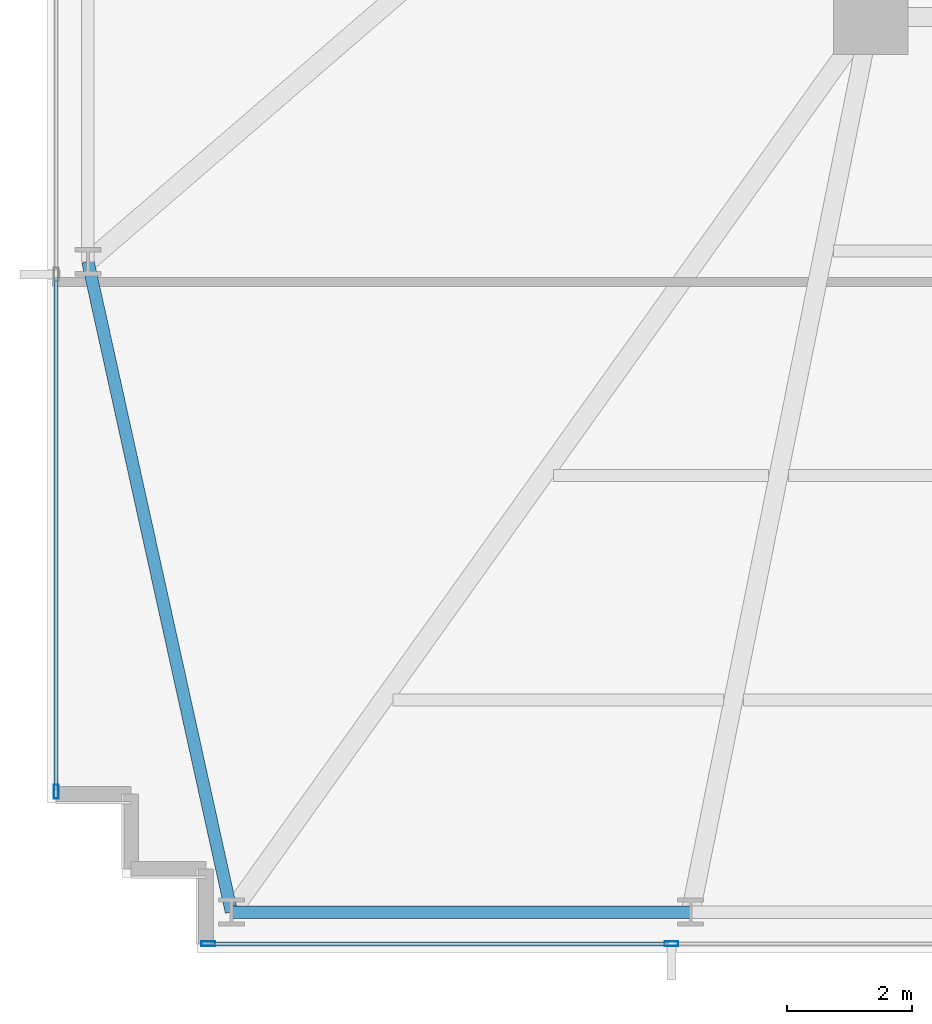
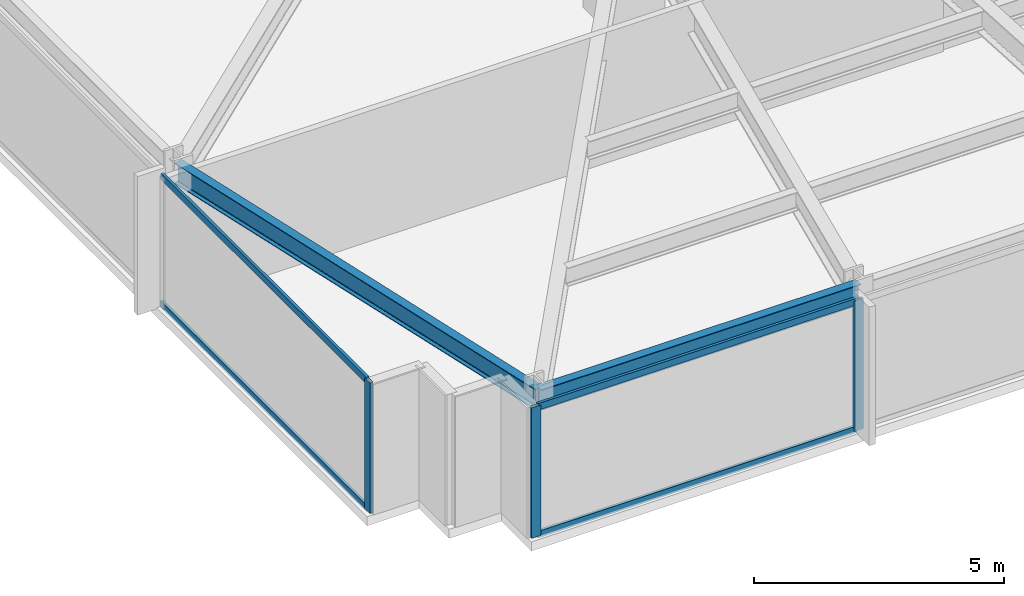
# One storey, part 2 of 32: 7 members, 2 beams, 2 elements without a shape of their own.
"""IFC4 building model written with IfcOpenShell, lengths in metres."""

import ifcopenshell
import ifcopenshell.guid

model = None  # the IFC model being written
_history = None  # IfcOwnerHistory: only IFC2X3 demands one
_inside = {}  # id of a spatial element -> (the spatial element, [elements in it])
_under = {}  # id of a project, library or spatial element -> (it, [spatial elements below it])
_declared = {}  # id of a project -> (the project, [libraries it declares])
_typed = {}  # id of a type object -> (the type object, [elements of that type])
_made_of = {}  # id of a material, layer set ... -> (it, [elements and type objects made of it])


def new_model(schema):
    """Start an empty IFC model of exactly this schema.

    Asked for "IFC4X3", IfcOpenShell would pick the latest addendum, in which some entities
    have other attributes; the version numbers below select the first issue.
    IFC2X3 requires an IfcOwnerHistory on every rooted entity: one is made here for all.
    """
    global model, _history
    if schema == "IFC4X3":
        model = ifcopenshell.file(schema_version=(4, 3, 0, 0))
    else:
        model = ifcopenshell.file(schema=schema)
    _inside.clear()
    _under.clear()
    _declared.clear()
    _typed.clear()
    _made_of.clear()
    _history = None
    if model.schema == "IFC2X3":
        org = make("IfcOrganization", Name="unknown")
        user = make(
            "IfcPersonAndOrganization",
            ThePerson=make("IfcPerson", FamilyName="unknown"),
            TheOrganization=org,
        )
        app = make(
            "IfcApplication",
            ApplicationDeveloper=org,
            Version="unknown",
            ApplicationFullName="unknown",
            ApplicationIdentifier="unknown",
        )
        _history = make(
            "IfcOwnerHistory",
            OwningUser=user,
            OwningApplication=app,
            ChangeAction="ADDED",
            CreationDate=0,
        )
    return model


def make(cls, **values):
    """One entity of the class cls with the attributes given. An attribute that is None is left unset."""
    return model.create_entity(
        cls, **{name: value for name, value in values.items() if value is not None}
    )


def rooted(cls, **values):
    """An entity with a GlobalId (a new one), such as an element, a storey or a relation."""
    return make(cls, GlobalId=ifcopenshell.guid.new(), OwnerHistory=_history, **values)


def si_unit(unit_type, name, prefix=None):
    """IfcSIUnit, for example si_unit("LENGTHUNIT", "METRE", prefix="MILLI")."""
    return make("IfcSIUnit", UnitType=unit_type, Prefix=prefix, Name=name)


def assignment(units):
    """IfcUnitAssignment: the units of a project."""
    return None if units is None else make("IfcUnitAssignment", Units=units)


def point(xyz):
    """IfcCartesianPoint."""
    return None if xyz is None else make("IfcCartesianPoint", Coordinates=xyz)


def direction(xyz):
    """IfcDirection."""
    return None if xyz is None else make("IfcDirection", DirectionRatios=xyz)


def frame(location, z_axis=None, x_axis=None):
    """IfcAxis2Placement3D, a coordinate frame: its origin and axes. An axis left out is left unset."""
    return make(
        "IfcAxis2Placement3D",
        Location=point(location),
        Axis=direction(z_axis),
        RefDirection=direction(x_axis),
    )


def frame_2d(location, x_axis=None):
    """IfcAxis2Placement2D, a coordinate frame in the plane: its origin and x axis."""
    return make(
        "IfcAxis2Placement2D", Location=point(location), RefDirection=direction(x_axis)
    )


def origin():
    """The frame at (0, 0, 0) with its axes left unset."""
    return frame((0.0, 0.0, 0.0))


def origin_2d():
    """The frame at (0, 0) in the plane with its x axis left unset."""
    return frame_2d((0.0, 0.0))


def place(relative_to, where):
    """IfcLocalPlacement: puts the frame where relative to a parent placement (None: the world)."""
    return make(
        "IfcLocalPlacement", PlacementRelTo=relative_to, RelativePlacement=where
    )


def context(
    kind, dimensions, precision=None, world=None, true_north=None, identifier=None
):
    """IfcGeometricRepresentationContext, for example the 3D "Model" context."""
    return make(
        "IfcGeometricRepresentationContext",
        ContextIdentifier=identifier,
        ContextType=kind,
        CoordinateSpaceDimension=dimensions,
        Precision=precision,
        WorldCoordinateSystem=world,
        TrueNorth=true_north,
    )


def subcontext(parent, identifier, kind, view, scale=None):
    """IfcGeometricRepresentationSubContext, for example "Body" below "Model"."""
    return make(
        "IfcGeometricRepresentationSubContext",
        ContextIdentifier=identifier,
        ContextType=kind,
        ParentContext=parent,
        TargetScale=scale,
        TargetView=view,
    )


def project(units=None, contexts=None):
    """IfcProject with its units and contexts."""
    return rooted(
        "IfcProject",
        Name="project",
        RepresentationContexts=contexts,
        UnitsInContext=assignment(units),
    )


def spatial(cls, under=None, at=None, **own):
    """A site, building, storey or space (cls), placed at a placement, below another one or the project."""
    s = rooted(cls, ObjectPlacement=at, **own)
    if under is not None:
        _under.setdefault(under.id(), (under, []))[1].append(s)
    return s


def profile(cls, at=None, kind="AREA", **sizes):
    """A parametric profile (cls). Its sizes go by their IFC names, for example OverallWidth=200.0."""
    return make(cls, ProfileType=kind, Position=at, **sizes)


def hollow_rectangle(**sizes):
    """IfcRectangleHollowProfileDef."""
    return profile("IfcRectangleHollowProfileDef", **sizes)


def i_section(**sizes):
    """IfcIShapeProfileDef."""
    return profile("IfcIShapeProfileDef", **sizes)


def extrude(swept, where, along, depth):
    """IfcExtrudedAreaSolid: the profile swept, set in the frame where, extruded along a direction by depth."""
    return make(
        "IfcExtrudedAreaSolid",
        SweptArea=swept,
        Position=where,
        ExtrudedDirection=direction(along),
        Depth=depth,
    )


def shape(context_of_items, identifier, shape_type, items):
    """IfcShapeRepresentation: the items that make up one representation, for example the "Body"."""
    return make(
        "IfcShapeRepresentation",
        ContextOfItems=context_of_items,
        RepresentationIdentifier=identifier,
        RepresentationType=shape_type,
        Items=items,
    )


def material(Name=None, Category=None):
    """IfcMaterial."""
    return make("IfcMaterial", Name=Name, Category=Category)


def material_profile(
    of_material, cross_section, Name=None, Category=None, Priority=None
):
    """IfcMaterialProfile: a cross section and its material."""
    return make(
        "IfcMaterialProfile",
        Name=Name,
        Material=of_material,
        Profile=cross_section,
        Priority=Priority,
        Category=Category,
    )


def profile_set(profiles, Name=None, composite=None):
    """IfcMaterialProfileSet."""
    return make(
        "IfcMaterialProfileSet",
        Name=Name,
        MaterialProfiles=profiles,
        CompositeProfile=composite,
    )


def made_of(thing, what):
    """Note that an element or type object is made of a material, layer set ...; save() writes the relation."""
    if what is not None:
        _made_of.setdefault(what.id(), (what, []))[1].append(thing)
    return thing


def type_object(cls, material=None, **own):
    """A type object (cls), such as IfcWallType, which elements share."""
    return made_of(rooted(cls, **own), material)


def element(
    cls,
    number,
    at=None,
    inside=None,
    cuts=None,
    type_object=None,
    material=None,
    context=None,
    identifier="Body",
    shape_type=None,
    held_by="IfcProductDefinitionShape",
    body=None,
    shapes=None,
    **own,
):
    """One element of the class cls, such as IfcWall. Its Tag is "e" and its number.

    at: its placement. inside: the storey or other place that contains it. cuts: it is an
    opening in that element (IfcRelVoidsElement). A single representation is given by context,
    identifier, shape_type and body (its items); several are given by shapes. held_by: the class
    of the entity that holds the representations. save() writes the other relations.
    """
    e = rooted(cls, Tag="e%d" % number, ObjectPlacement=at, **own)
    if body is not None:
        shapes = [shape(context, identifier, shape_type, body)]
    if shapes is not None:
        e.Representation = make(held_by, Representations=shapes)
    if inside is not None:
        _inside.setdefault(inside.id(), (inside, []))[1].append(e)
    if cuts is not None:
        rooted(
            "IfcRelVoidsElement", RelatingBuildingElement=cuts, RelatedOpeningElement=e
        )
    if type_object is not None:
        _typed.setdefault(type_object.id(), (type_object, []))[1].append(e)
    return made_of(e, material)


def aggregate(whole, parts):
    """IfcRelAggregates: a whole, such as a stair, and the parts it consists of."""
    return rooted("IfcRelAggregates", RelatingObject=whole, RelatedObjects=parts)


def save(model, path):
    """Write the relations noted so far, then the file.

    IfcRelAggregates (storeys below a building ...), IfcRelContainedInSpatialStructure (elements
    in a storey), IfcRelDefinesByType, IfcRelAssociatesMaterial and IfcRelDeclares: one each for
    every whole, place, type object, material and project.
    """
    for whole, parts in _under.values():
        aggregate(whole, parts)
    for where, things in _inside.values():
        rooted(
            "IfcRelContainedInSpatialStructure",
            RelatedElements=things,
            RelatingStructure=where,
        )
    for kind, things in _typed.values():
        rooted("IfcRelDefinesByType", RelatedObjects=things, RelatingType=kind)
    for what, things in _made_of.values():
        rooted("IfcRelAssociatesMaterial", RelatedObjects=things, RelatingMaterial=what)
    for by, libraries in _declared.values():
        rooted("IfcRelDeclares", RelatingContext=by, RelatedDefinitions=libraries)
    model.write(path)


model = new_model("IFC4")

# Units and contexts
model_context = context("Model", 3, precision=1e-05, world=origin(), true_north=direction((0.0, 1.0)))
body_context = subcontext(model_context, "Body", "Model", "MODEL_VIEW")
ifc_project = project(units=[si_unit("LENGTHUNIT", "METRE"), si_unit("AREAUNIT", "SQUARE_METRE"), si_unit("VOLUMEUNIT", "CUBIC_METRE"), si_unit("PLANEANGLEUNIT", "RADIAN"), si_unit("MASSUNIT", "GRAM", prefix="KILO")], contexts=[model_context])

# Site, building, storey
site_placement = place(None, origin())
site = spatial("IfcSite", under=ifc_project, at=site_placement, CompositionType="ELEMENT")
building_placement = place(site_placement, origin())
building = spatial("IfcBuilding", under=site, at=building_placement, Name="Yelkora Congress Tower", CompositionType="ELEMENT")
storey_placement = place(building_placement, frame((0.0, 0.0, 40.60009765625)))
storey = spatial("IfcBuildingStorey", under=building, at=storey_placement, Name="L09", CompositionType="ELEMENT", Elevation=40.60009765625)

# Beams
ifc_material_1 = material(Name="Steel S355J2", Category="steel")
ifc_material_profile_1 = material_profile(ifc_material_1, i_section(OverallWidth=0.199951171875, OverallDepth=0.5, WebThickness=0.01025390625, FlangeThickness=0.01611328125, FilletRadius=0.02099609375, at=origin_2d()), Name="IPE 500")
ifc_profile_set_1 = profile_set([ifc_material_profile_1], Name="Steel S355J2")
beam_type = type_object("IfcBeamType", Name="BM-SPAN-IPE500", PredefinedType="SPANDREL", material=ifc_profile_set_1)
beam_1_placement = place(storey_placement, frame((6.64990234375, 21.27490234375, 2.929931640625), z_axis=(0.215450706142, -0.976514717361, 0.0), x_axis=(0.976514717361, 0.215450706142, 0.0)))
element("IfcBeam", 1, at=beam_1_placement, inside=storey, type_object=beam_type, Name="L09 Perimeter Beam 1", PredefinedType="SPANDREL", context=body_context, shape_type="SweptSolid", body=[
    extrude(i_section(OverallWidth=0.199951171875, OverallDepth=0.5, WebThickness=0.01025390625, FlangeThickness=0.01611328125, FilletRadius=0.02099609375, at=origin_2d()), origin(), (0.0, 0.0, 1.0), 10.675537109375),
])
beam_2_placement = place(storey_placement, frame((8.949951171875, 10.85009765625, 2.929931640625), z_axis=(1.0, 0.0, 0.0), x_axis=(0.0, 1.0, 0.0)))
element("IfcBeam", 2, at=beam_2_placement, inside=storey, type_object=beam_type, Name="L09 Perimeter Beam 2", PredefinedType="SPANDREL", context=body_context, shape_type="SweptSolid", body=[
    extrude(i_section(OverallWidth=0.199951171875, OverallDepth=0.5, WebThickness=0.01025390625, FlangeThickness=0.01611328125, FilletRadius=0.02099609375, at=origin_2d()), origin(), (0.0, 0.0, 1.0), 7.362548828125),
])

# Curtain wall, member
ifc_material_2 = material(Name="Anodised aluminium and insulated glass", Category="aluminium")
curtain_wall_type = type_object("IfcCurtainWallType", Name="CW-SYS-B1", PredefinedType="NOTDEFINED", material=ifc_material_2)
curtain_wall_1_placement = place(storey_placement, origin())
curtain_wall_1 = element("IfcCurtainWall", 3, at=curtain_wall_1_placement, inside=storey, type_object=curtain_wall_type, Name="L09 Unitised Curtain Wall 5", PredefinedType="NOTDEFINED")
ifc_material_3 = material(Name="Anodised aluminium 6063-T6", Category="aluminium")
ifc_material_profile_2 = material_profile(ifc_material_3, hollow_rectangle(XDim=0.074951171875, YDim=0.219970703125, WallThickness=0.0048828125, at=origin_2d()), Name="ALU 75x220x5")
ifc_profile_set_2 = profile_set([ifc_material_profile_2], Name="Anodised aluminium 6063-T6")
member_type_1 = type_object("IfcMemberType", Name="MEM-ML-B1", PredefinedType="MULLION", material=ifc_profile_set_2)
member_1_placement = place(storey_placement, frame((6.139892578125, 12.777587890625, 0.0), z_axis=(0.0, 0.0, 1.0), x_axis=(-1.0, 0.0, 0.0)))
member_1 = element("IfcMember", 4, at=member_1_placement, type_object=member_type_1, Name="CW-B1 mullion 1", PredefinedType="MULLION", context=body_context, shape_type="SweptSolid", body=[
    extrude(hollow_rectangle(XDim=0.074951171875, YDim=0.219970703125, WallThickness=0.0048828125, at=origin_2d()), origin(), (0.0, 0.0, 1.0), 3.179931640625),
])

# Curtain wall, members
curtain_wall_2_placement = place(storey_placement, origin())
curtain_wall_2 = element("IfcCurtainWall", 5, at=curtain_wall_2_placement, inside=storey, type_object=curtain_wall_type, Name="L09 Unitised Curtain Wall 20", PredefinedType="NOTDEFINED")
member_2_placement = place(storey_placement, frame((16.0048828125, 10.340087890625, 0.0), z_axis=(0.0, 0.0, 1.0), x_axis=(0.0, -1.0, 0.0)))
member_2 = element("IfcMember", 6, at=member_2_placement, type_object=member_type_1, Name="CW-B1 mullion 8", PredefinedType="MULLION", context=body_context, shape_type="SweptSolid", body=[
    extrude(hollow_rectangle(XDim=0.074951171875, YDim=0.219970703125, WallThickness=0.0048828125, at=origin_2d()), origin(), (0.0, 0.0, 1.0), 3.179931640625),
])
member_3_placement = place(storey_placement, frame((8.577392578125, 10.340087890625, 0.0), z_axis=(0.0, 0.0, 1.0), x_axis=(0.0, -1.0, 0.0)))
member_3 = element("IfcMember", 7, at=member_3_placement, type_object=member_type_1, Name="CW-B1 mullion 9", PredefinedType="MULLION", context=body_context, shape_type="SweptSolid", body=[
    extrude(hollow_rectangle(XDim=0.074951171875, YDim=0.219970703125, WallThickness=0.0048828125, at=origin_2d()), origin(), (0.0, 0.0, 1.0), 3.179931640625),
])

# Member
ifc_material_profile_3 = material_profile(ifc_material_3, hollow_rectangle(XDim=0.06494140625, YDim=0.159912109375, WallThickness=0.00390625, at=origin_2d()), Name="ALU 65x160x4")
ifc_profile_set_3 = profile_set([ifc_material_profile_3], Name="Anodised aluminium 6063-T6")
member_type_2 = type_object("IfcMemberType", Name="MEM-TR-B1", PredefinedType="USERDEFINED", material=ifc_profile_set_3)
member_4_placement = place(storey_placement, frame((6.139892578125, 12.81494140625, 0.032470703125), z_axis=(0.0, 1.0, 0.0), x_axis=(-1.0, 0.0, 0.0)))
member_4 = element("IfcMember", 8, at=member_4_placement, type_object=member_type_2, Name="CW-B1 transom 1.1", ObjectType="TRANSOM", PredefinedType="USERDEFINED", context=body_context, shape_type="SweptSolid", body=[
    extrude(hollow_rectangle(XDim=0.06494140625, YDim=0.159912109375, WallThickness=0.00390625, at=origin_2d()), origin(), (0.0, 0.0, 1.0), 8.217529296875),
])

member_5_placement = place(storey_placement, frame((6.139892578125, 12.81494140625, 3.1474609375), z_axis=(0.0, 1.0, 0.0), x_axis=(-1.0, 0.0, 0.0)))
member_5 = element("IfcMember", 9, at=member_5_placement, type_object=member_type_2, Name="CW-B1 transom 1.2", ObjectType="TRANSOM", PredefinedType="USERDEFINED", context=body_context, shape_type="SweptSolid", body=[
    extrude(hollow_rectangle(XDim=0.06494140625, YDim=0.159912109375, WallThickness=0.00390625, at=origin_2d()), origin(), (0.0, 0.0, 1.0), 8.217529296875),
])

aggregate(curtain_wall_1, [member_1, member_4, member_5])

member_6_placement = place(storey_placement, frame((15.967529296875, 10.340087890625, 0.032470703125), z_axis=(-1.0, 0.0, 0.0), x_axis=(0.0, -1.0, 0.0)))
member_6 = element("IfcMember", 10, at=member_6_placement, type_object=member_type_2, Name="CW-B1 transom 8.1", ObjectType="TRANSOM", PredefinedType="USERDEFINED", context=body_context, shape_type="SweptSolid", body=[
    extrude(hollow_rectangle(XDim=0.06494140625, YDim=0.159912109375, WallThickness=0.00390625, at=origin_2d()), origin(), (0.0, 0.0, 1.0), 7.3525390625),
])

member_7_placement = place(storey_placement, frame((15.967529296875, 10.340087890625, 3.1474609375), z_axis=(-1.0, 0.0, 0.0), x_axis=(0.0, -1.0, 0.0)))
member_7 = element("IfcMember", 11, at=member_7_placement, type_object=member_type_2, Name="CW-B1 transom 8.2", ObjectType="TRANSOM", PredefinedType="USERDEFINED", context=body_context, shape_type="SweptSolid", body=[
    extrude(hollow_rectangle(XDim=0.06494140625, YDim=0.159912109375, WallThickness=0.00390625, at=origin_2d()), origin(), (0.0, 0.0, 1.0), 7.3525390625),
])

aggregate(curtain_wall_2, [member_2, member_3, member_6, member_7])

save(model, "model.ifc")
